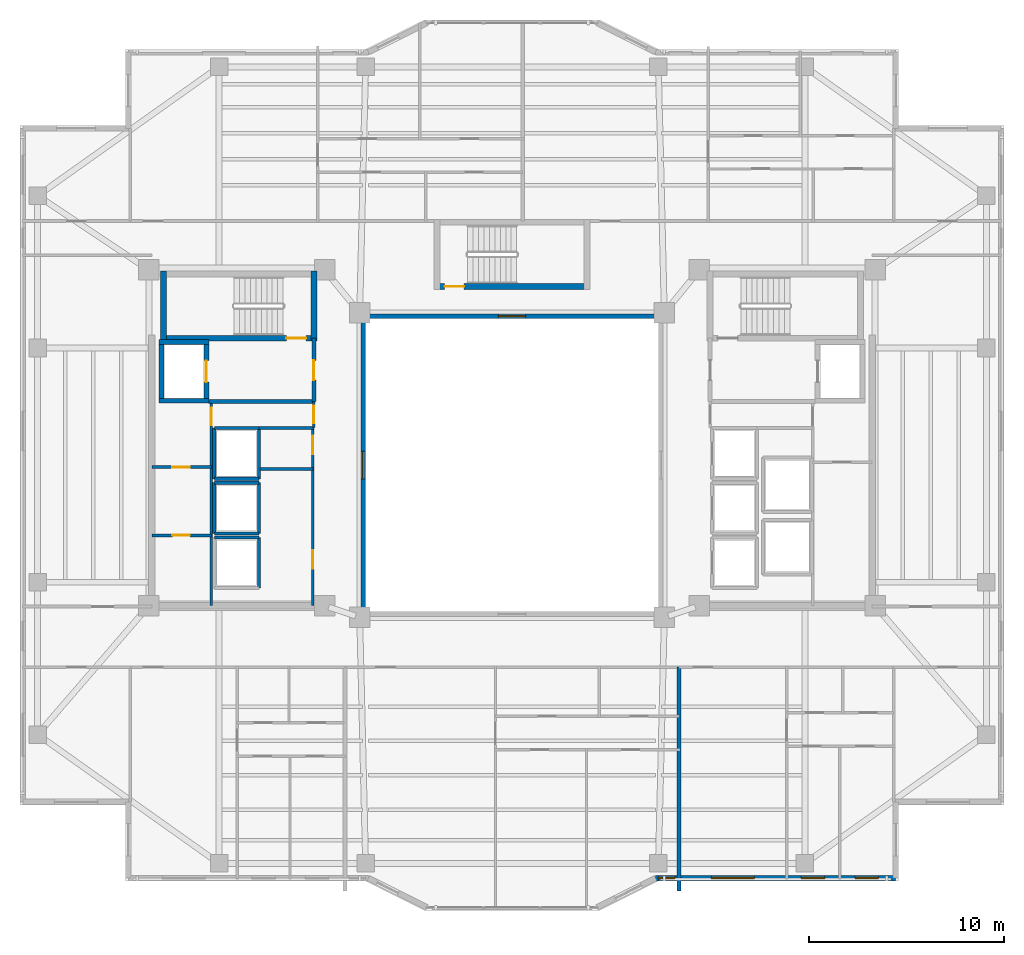
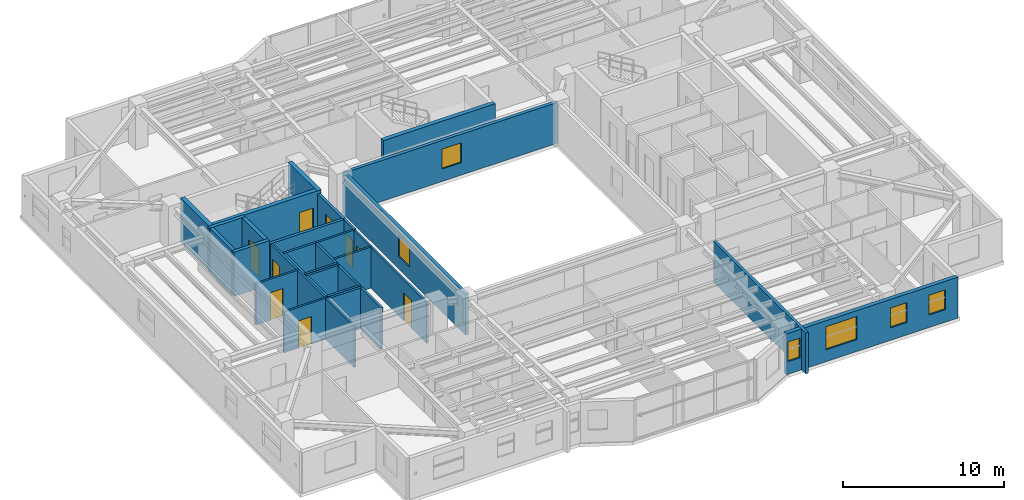
# One storey, part 7 of 15: 31 walls, 10 doors, 6 windows, 16 openings.
"""IFC4 building model written with IfcOpenShell, lengths in metres."""

from ifc_helpers import new_model, si_unit, direction, frame, frame_2d, origin, place, context, subcontext, project, spatial, rectangle, extrude, material, layer, layer_set, type_object, element, fill, save


model = new_model("IFC4")

# Units and contexts
model_context = context("Model", 3, precision=1e-05, world=origin(), true_north=direction((0.0, 1.0)))
body_context = subcontext(model_context, "Body", "Model", "MODEL_VIEW")
ifc_project = project(units=[si_unit("LENGTHUNIT", "METRE"), si_unit("AREAUNIT", "SQUARE_METRE"), si_unit("VOLUMEUNIT", "CUBIC_METRE"), si_unit("PLANEANGLEUNIT", "RADIAN"), si_unit("MASSUNIT", "GRAM", prefix="KILO")], contexts=[model_context])

# Site, building, storey
site_placement = place(None, origin())
site = spatial("IfcSite", under=ifc_project, at=site_placement, CompositionType="ELEMENT")
building_placement = place(site_placement, origin())
building = spatial("IfcBuilding", under=site, at=building_placement, Name="Tarnavaz Court Tower", CompositionType="ELEMENT")
storey_placement = place(building_placement, frame((0.0, 0.0, 162.75)))
storey = spatial("IfcBuildingStorey", under=building, at=storey_placement, Name="L44", CompositionType="ELEMENT", Elevation=162.75)

# Wall
ifc_material_1 = material(Name="Concrete C50/60", Category="concrete")
ifc_layer_1 = layer(ifc_material_1, 0.25)
ifc_layer_set_1 = layer_set([ifc_layer_1], Name="Concrete C50/60")
wall_type_1 = type_object("IfcWallType", Name="WL-CORE-250-C50", PredefinedType="SHEAR", material=ifc_layer_set_1)
wall_1_placement = place(storey_placement, frame((-17.949951171875, 3.175048828125, 0.0), z_axis=(0.0, 0.0, 1.0), x_axis=(0.0, 1.0, 0.0)))
element("IfcWall", 1, at=wall_1_placement, inside=storey, type_object=wall_type_1, Name="L44 Lift FL-W1 Shaft Wall 017", PredefinedType="SHEAR", context=body_context, shape_type="SweptSolid", body=[
    extrude(rectangle(XDim=3.25, YDim=0.25, at=frame_2d((1.625, 0.0))), origin(), (0.0, 0.0, 1.0), 3.35009765625),
])

# Wall, opening, door
wall_2_placement = place(storey_placement, frame((-15.64990234375, 3.175048828125, 0.0), z_axis=(0.0, 0.0, 1.0), x_axis=(0.0, 1.0, 0.0)))
wall_2 = element("IfcWall", 2, at=wall_2_placement, inside=storey, type_object=wall_type_1, Name="L44 Lift FL-W1 Shaft Wall 018", PredefinedType="SHEAR", context=body_context, shape_type="SweptSolid", body=[
    extrude(rectangle(XDim=3.25, YDim=0.25, at=frame_2d((1.625, 0.0))), origin(), (0.0, 0.0, 1.0), 3.35009765625),
])
opening_1_placement = place(wall_2_placement, frame((1.074951171875, 0.0, 0.0)))
opening_1 = element("IfcOpeningElement", 3, at=opening_1_placement, cuts=wall_2, Name="Opening LD1", PredefinedType="OPENING", context=body_context, shape_type="SweptSolid", body=[
    extrude(rectangle(XDim=1.10009765625, YDim=2.14990234375, at=frame_2d((0.550048828125, 1.074951171875))), frame((0.0, 0.135009765625, 0.0), z_axis=(0.0, -1.0, 0.0), x_axis=(1.0, 0.0, 0.0)), (0.0, 0.0, 1.0), 0.27001953125),
])
ifc_material_2 = material(Name="Stainless Steel", Category="steel")
door_type_1 = type_object("IfcDoorType", Name="DR-LD-1100", OperationType="NOTDEFINED", PredefinedType="DOOR", material=ifc_material_2)
door_1_placement = place(opening_1_placement, origin())
door_1 = element("IfcDoor", 4, at=door_1_placement, inside=storey, type_object=door_type_1, Name="L44 Lift Landing Door LD-FL-W1", OperationType="SLIDING_TO_LEFT", OverallHeight=2.14990234375, OverallWidth=1.10009765625, PredefinedType="DOOR", context=body_context, shape_type="SweptSolid", body=[
    extrude(rectangle(XDim=1.10009765625, YDim=2.14990234375, at=frame_2d((0.550048828125, 1.074951171875))), frame((0.0, 0.02490234375, 0.0), z_axis=(0.0, -1.0, 0.0), x_axis=(1.0, 0.0, 0.0)), (0.0, 0.0, 1.0), 0.050048828125),
])
fill(opening_1, door_1)

# Walls
for number, where, z_axis, x_axis, name in (
    (5, (-18.074951171875, 3.300048828125, 0.0), (0.0, 0.0, 1.0), (1.0, 0.0, 0.0), "L44 Lift FL-W1 Shaft Wall 019"),
    (6, (-18.074951171875, 6.300048828125, 0.0), (0.0, 0.0, 1.0), (1.0, 0.0, 0.0), "L44 Lift FL-W1 Shaft Wall 020"),
):
    element("IfcWall", number, at=place(storey_placement, frame(where, z_axis=z_axis, x_axis=x_axis)), inside=storey, type_object=wall_type_1, Name=name, PredefinedType="SHEAR", context=body_context, shape_type="SweptSolid", body=[
        extrude(rectangle(XDim=2.550048828125, YDim=0.25, at=frame_2d((1.27490234375, 0.0))), origin(), (0.0, 0.0, 1.0), 3.35009765625),
    ])

# Wall, opening, door
ifc_layer_2 = layer(ifc_material_1, 0.300048828125)
ifc_layer_set_2 = layer_set([ifc_layer_2], Name="Concrete C50/60")
wall_type_2 = type_object("IfcWallType", Name="WL-CORE-300-C50", PredefinedType="SHEAR", material=ifc_layer_set_2)
wall_3_placement = place(storey_placement, frame((-18.0, 6.5, 0.0), z_axis=(0.0, 0.0, 1.0), x_axis=(1.0, 0.0, 0.0)))
wall_3 = element("IfcWall", 7, at=wall_3_placement, inside=storey, type_object=wall_type_2, Name="L44 West Stair Core Wall 002", PredefinedType="SHEAR", context=body_context, shape_type="SweptSolid", body=[
    extrude(rectangle(XDim=8.0, YDim=0.300048828125, at=frame_2d((4.0, 0.0))), origin(), (0.0, 0.0, 1.0), 3.35009765625),
])
opening_2_placement = place(wall_3_placement, frame((6.449951171875, 0.0, 0.0)))
opening_2 = element("IfcOpeningElement", 8, at=opening_2_placement, cuts=wall_3, Name="Opening D01", PredefinedType="OPENING", context=body_context, shape_type="SweptSolid", body=[
    extrude(rectangle(XDim=1.0, YDim=2.14990234375, at=frame_2d((0.5, 1.074951171875))), frame((0.0, 0.159912109375, 0.0), z_axis=(0.0, -1.0, 0.0), x_axis=(1.0, 0.0, 0.0)), (0.0, 0.0, 1.0), 0.320068359375),
])
ifc_material_3 = material(Name="Fire-Rated Hardwood Timber Core", Category="wood")
door_type_2 = type_object("IfcDoorType", Name="DR-FD90-1000", OperationType="NOTDEFINED", PredefinedType="DOOR", material=ifc_material_3)
door_2_placement = place(opening_2_placement, origin())
door_2 = element("IfcDoor", 9, at=door_2_placement, inside=storey, type_object=door_type_2, Name="L44 Stair ST-W1 Exit Door", OperationType="SINGLE_SWING_LEFT", OverallHeight=2.14990234375, OverallWidth=1.0, PredefinedType="DOOR", context=body_context, shape_type="SweptSolid", body=[
    extrude(rectangle(XDim=1.0, YDim=2.14990234375, at=frame_2d((0.5, 1.074951171875))), frame((0.0, 0.02490234375, 0.0), z_axis=(0.0, -1.0, 0.0), x_axis=(1.0, 0.0, 0.0)), (0.0, 0.0, 1.0), 0.050048828125),
])
fill(opening_2, door_2)

# Walls
for number, where, z_axis, x_axis, name in (
    (10, (-17.85009765625, 6.35009765625, 0.0), (0.0, 0.0, 1.0), (0.0, 1.0, 0.0), "L44 West Stair Core Wall 003"),
    (11, (-10.14990234375, 6.35009765625, 0.0), (0.0, 0.0, 1.0), (0.0, 1.0, 0.0), "L44 West Stair Core Wall 004"),
):
    element("IfcWall", number, at=place(storey_placement, frame(where, z_axis=z_axis, x_axis=x_axis)), inside=storey, type_object=wall_type_2, Name=name, PredefinedType="SHEAR", context=body_context, shape_type="SweptSolid", body=[
        extrude(rectangle(XDim=3.58984375, YDim=0.300048828125, at=frame_2d((1.794921875, 0.0))), origin(), (0.0, 0.0, 1.0), 3.35009765625),
    ])

# Wall, opening, door
wall_4_placement = place(storey_placement, frame((-4.0, 9.14990234375, 0.0), z_axis=(0.0, 0.0, 1.0), x_axis=(1.0, 0.0, 0.0)))
wall_4 = element("IfcWall", 12, at=wall_4_placement, inside=storey, type_object=wall_type_2, Name="L44 North Stair Core Wall 010", PredefinedType="SHEAR", context=body_context, shape_type="SweptSolid", body=[
    extrude(rectangle(XDim=8.0, YDim=0.300048828125, at=frame_2d((4.0, 0.0))), origin(), (0.0, 0.0, 1.0), 3.35009765625),
])
opening_3_placement = place(wall_4_placement, frame((0.550048828125, 0.0, 0.0)))
opening_3 = element("IfcOpeningElement", 13, at=opening_3_placement, cuts=wall_4, Name="Opening D01", PredefinedType="OPENING", context=body_context, shape_type="SweptSolid", body=[
    extrude(rectangle(XDim=1.0, YDim=2.14990234375, at=frame_2d((0.5, 1.074951171875))), frame((0.0, 0.159912109375, 0.0), z_axis=(0.0, -1.0, 0.0), x_axis=(1.0, 0.0, 0.0)), (0.0, 0.0, 1.0), 0.320068359375),
])
door_3_placement = place(opening_3_placement, origin())
door_3 = element("IfcDoor", 14, at=door_3_placement, inside=storey, type_object=door_type_2, Name="L44 Stair ST-N1 Exit Door", OperationType="SINGLE_SWING_LEFT", OverallHeight=2.14990234375, OverallWidth=1.0, PredefinedType="DOOR", context=body_context, shape_type="SweptSolid", body=[
    extrude(rectangle(XDim=1.0, YDim=2.14990234375, at=frame_2d((0.5, 1.074951171875))), frame((0.0, 0.02490234375, 0.0), z_axis=(0.0, -1.0, 0.0), x_axis=(1.0, 0.0, 0.0)), (0.0, 0.0, 1.0), 0.050048828125),
])
fill(opening_3, door_3)

# Wall, openings, windows
ifc_material_4 = material(Name="Precast Concrete C40/50", Category="concrete")
ifc_layer_3 = layer(ifc_material_4, 0.280029296875)
ifc_layer_set_3 = layer_set([ifc_layer_3], Name="Precast Concrete C40/50")
wall_type_3 = type_object("IfcWallType", Name="WL-EXT-280", PredefinedType="SOLIDWALL", material=ifc_layer_set_3)
wall_5_placement = place(storey_placement, frame((19.64990234375, -21.14990234375, 0.0), z_axis=(0.0, 0.0, 1.0), x_axis=(-1.0, 0.0, 0.0)))
wall_5 = element("IfcWall", 15, at=wall_5_placement, inside=storey, type_object=wall_type_3, Name="L44 Exterior Terracotta Facade Wall 15", PredefinedType="SOLIDWALL", context=body_context, shape_type="SweptSolid", body=[
    extrude(rectangle(XDim=12.2998046875, YDim=0.280029296875, at=frame_2d((6.14990234375, 0.0))), origin(), (0.0, 0.0, 1.0), 3.10009765625),
])
opening_4_placement = place(wall_5_placement, frame((0.881103515625, 0.0, 0.949951171875)))
opening_4 = element("IfcOpeningElement", 16, at=opening_4_placement, cuts=wall_5, Name="Opening W05", PredefinedType="OPENING", context=body_context, shape_type="SweptSolid", body=[
    extrude(rectangle(XDim=1.199951171875, YDim=1.5, at=frame_2d((0.60009765625, 0.75))), frame((0.0, 0.14990234375, 0.0), z_axis=(0.0, -1.0, 0.0), x_axis=(1.0, 0.0, 0.0)), (0.0, 0.0, 1.0), 0.300048828125),
])
opening_5_placement = place(wall_5_placement, frame((3.64208984375, 0.0, 0.949951171875)))
opening_5 = element("IfcOpeningElement", 17, at=opening_5_placement, cuts=wall_5, Name="Opening W05", PredefinedType="OPENING", context=body_context, shape_type="SweptSolid", body=[
    extrude(rectangle(XDim=1.199951171875, YDim=1.5, at=frame_2d((0.60009765625, 0.75))), frame((0.0, 0.14990234375, 0.0), z_axis=(0.0, -1.0, 0.0), x_axis=(1.0, 0.0, 0.0)), (0.0, 0.0, 1.0), 0.300048828125),
])
opening_6_placement = place(wall_5_placement, frame((7.23388671875, 0.0, 0.89990234375)))
opening_6 = element("IfcOpeningElement", 18, at=opening_6_placement, cuts=wall_5, Name="Opening W07", PredefinedType="OPENING", context=body_context, shape_type="SweptSolid", body=[
    extrude(rectangle(XDim=2.199951171875, YDim=1.75, at=frame_2d((1.10009765625, 0.875))), frame((0.0, 0.14990234375, 0.0), z_axis=(0.0, -1.0, 0.0), x_axis=(1.0, 0.0, 0.0)), (0.0, 0.0, 1.0), 0.300048828125),
])
opening_7_placement = place(wall_5_placement, frame((11.302978515625, 0.0, 0.949951171875)))
opening_7 = element("IfcOpeningElement", 19, at=opening_7_placement, cuts=wall_5, Name="Opening W15", PredefinedType="OPENING", context=body_context, shape_type="SweptSolid", body=[
    extrude(rectangle(XDim=0.85009765625, YDim=1.5, at=frame_2d((0.425048828125, 0.75))), frame((0.0, 0.14990234375, 0.0), z_axis=(0.0, -1.0, 0.0), x_axis=(1.0, 0.0, 0.0)), (0.0, 0.0, 1.0), 0.300048828125),
])
ifc_material_5 = material(Name="Double-Glazed Solar Low-E Glass", Category="glass")
window_type_1 = type_object("IfcWindowType", Name="WN-APT-1200", PartitioningType="SINGLE_PANEL", PredefinedType="WINDOW", material=ifc_material_5)
window_1_placement = place(opening_4_placement, origin())
window_1 = element("IfcWindow", 20, at=window_1_placement, inside=storey, type_object=window_type_1, Name="L44 Flat 04 Bedroom 2 Window", OverallHeight=1.5, OverallWidth=1.199951171875, PartitioningType="SINGLE_PANEL", PredefinedType="WINDOW", context=body_context, shape_type="SweptSolid", body=[
    extrude(rectangle(XDim=1.199951171875, YDim=1.5, at=frame_2d((0.60009765625, 0.75))), frame((0.0, 0.030029296875, 0.0), z_axis=(0.0, -1.0, 0.0), x_axis=(1.0, 0.0, 0.0)), (0.0, 0.0, 1.0), 0.06005859375),
])
fill(opening_4, window_1)
window_2_placement = place(opening_5_placement, origin())
window_2 = element("IfcWindow", 21, at=window_2_placement, inside=storey, type_object=window_type_1, Name="L44 Flat 04 Principal Bedroom Window", OverallHeight=1.5, OverallWidth=1.199951171875, PartitioningType="SINGLE_PANEL", PredefinedType="WINDOW", context=body_context, shape_type="SweptSolid", body=[
    extrude(rectangle(XDim=1.199951171875, YDim=1.5, at=frame_2d((0.60009765625, 0.75))), frame((0.0, 0.030029296875, 0.0), z_axis=(0.0, -1.0, 0.0), x_axis=(1.0, 0.0, 0.0)), (0.0, 0.0, 1.0), 0.06005859375),
])
fill(opening_5, window_2)
window_type_2 = type_object("IfcWindowType", Name="WN-APT-2200", PartitioningType="TRIPLE_PANEL_VERTICAL", PredefinedType="WINDOW", material=ifc_material_5)
window_3_placement = place(opening_6_placement, origin())
window_3 = element("IfcWindow", 22, at=window_3_placement, inside=storey, type_object=window_type_2, Name="L44 Flat 04 Living and Dining Room Window", OverallHeight=1.75, OverallWidth=2.199951171875, PartitioningType="SINGLE_PANEL", PredefinedType="WINDOW", context=body_context, shape_type="SweptSolid", body=[
    extrude(rectangle(XDim=2.199951171875, YDim=1.75, at=frame_2d((1.10009765625, 0.875))), frame((0.0, 0.030029296875, 0.0), z_axis=(0.0, -1.0, 0.0), x_axis=(1.0, 0.0, 0.0)), (0.0, 0.0, 1.0), 0.06005859375),
])
fill(opening_6, window_3)
window_type_3 = type_object("IfcWindowType", Name="WN-APT-850", PartitioningType="SINGLE_PANEL", PredefinedType="WINDOW", material=ifc_material_5)
window_4_placement = place(opening_7_placement, origin())
window_4 = element("IfcWindow", 23, at=window_4_placement, inside=storey, type_object=window_type_3, Name="L44 Flat 05 Bedroom 2 Window", OverallHeight=1.5, OverallWidth=0.85009765625, PartitioningType="SINGLE_PANEL", PredefinedType="WINDOW", context=body_context, shape_type="SweptSolid", body=[
    extrude(rectangle(XDim=0.85009765625, YDim=1.5, at=frame_2d((0.425048828125, 0.75))), frame((0.0, 0.030029296875, 0.0), z_axis=(0.0, -1.0, 0.0), x_axis=(1.0, 0.0, 0.0)), (0.0, 0.0, 1.0), 0.06005859375),
])
fill(opening_7, window_4)

# Wall
ifc_material_6 = material(Name="Autoclaved Aerated Concrete Blockwork", Category="masonry")
ifc_layer_4 = layer(ifc_material_6, 0.199951171875)
ifc_layer_set_4 = layer_set([ifc_layer_4], Name="Autoclaved Aerated Concrete Blockwork")
wall_type_4 = type_object("IfcWallType", Name="WL-FIRE-200", PredefinedType="SOLIDWALL", material=ifc_layer_set_4)
wall_6_placement = place(storey_placement, frame((-15.550048828125, 3.25, 0.0), z_axis=(0.0, 0.0, 1.0), x_axis=(1.0, 0.0, 0.0)))
element("IfcWall", 24, at=wall_6_placement, inside=storey, type_object=wall_type_4, Name="L44 West Firefighting Lobby Wall 013", PredefinedType="SOLIDWALL", context=body_context, shape_type="SweptSolid", body=[
    extrude(rectangle(XDim=5.400146484375, YDim=0.199951171875, at=frame_2d((2.7001953125, 0.0))), origin(), (0.0, 0.0, 1.0), 3.10009765625),
])

# Wall, opening, door
wall_7_placement = place(storey_placement, frame((-10.14990234375, 3.25, 0.0), z_axis=(0.0, 0.0, 1.0), x_axis=(0.0, 1.0, 0.0)))
wall_7 = element("IfcWall", 25, at=wall_7_placement, inside=storey, type_object=wall_type_4, Name="L44 West Firefighting Lobby Wall 014", PredefinedType="SOLIDWALL", context=body_context, shape_type="SweptSolid", body=[
    extrude(rectangle(XDim=3.25, YDim=0.199951171875, at=frame_2d((1.625, 0.0))), origin(), (0.0, 0.0, 1.0), 3.10009765625),
])
opening_8_placement = place(wall_7_placement, frame((1.10009765625, 0.0, 0.0)))
opening_8 = element("IfcOpeningElement", 26, at=opening_8_placement, cuts=wall_7, Name="Opening D05", PredefinedType="OPENING", context=body_context, shape_type="SweptSolid", body=[
    extrude(rectangle(XDim=1.02001953125, YDim=2.14990234375, at=frame_2d((0.510009765625, 1.074951171875))), frame((0.0, 0.10986328125, 0.0), z_axis=(0.0, -1.0, 0.0), x_axis=(1.0, 0.0, 0.0)), (0.0, 0.0, 1.0), 0.219970703125),
])
door_type_3 = type_object("IfcDoorType", Name="DR-FD60-1000", OperationType="NOTDEFINED", PredefinedType="DOOR", material=ifc_material_3)
door_4_placement = place(opening_8_placement, origin())
door_4 = element("IfcDoor", 27, at=door_4_placement, inside=storey, type_object=door_type_3, Name="L44 West Firefighting Lobby Door", OperationType="SINGLE_SWING_RIGHT", OverallHeight=2.14990234375, OverallWidth=1.02001953125, PredefinedType="DOOR", context=body_context, shape_type="SweptSolid", body=[
    extrude(rectangle(XDim=1.02001953125, YDim=2.14990234375, at=frame_2d((0.510009765625, 1.074951171875))), frame((0.0, 0.02490234375, 0.0), z_axis=(0.0, -1.0, 0.0), x_axis=(1.0, 0.0, 0.0)), (0.0, 0.0, 1.0), 0.050048828125),
])
fill(opening_8, door_4)

# Walls
wall_8_placement = place(storey_placement, frame((8.550048828125, -21.803955078125, 0.0), z_axis=(0.0, 0.0, 1.0), x_axis=(0.0, 1.0, 0.0)))
element("IfcWall", 28, at=wall_8_placement, inside=storey, type_object=wall_type_4, Name="L44 Party Wall 102", PredefinedType="SOLIDWALL", context=body_context, shape_type="SweptSolid", body=[
    extrude(rectangle(XDim=11.453857421875, YDim=0.199951171875, at=frame_2d((5.72705078125, 0.0))), origin(), (0.0, 0.0, 1.0), 3.10009765625),
])
ifc_material_7 = material(Name="Gypsum Plasterboard Acoustic Partition", Category="masonry")
ifc_layer_5 = layer(ifc_material_7, 0.139892578125)
ifc_layer_set_5 = layer_set([ifc_layer_5], Name="Gypsum Plasterboard Acoustic Partition")
wall_type_5 = type_object("IfcWallType", Name="WL-PART-150", PredefinedType="PARTITIONING", material=ifc_layer_set_5)
wall_9_placement = place(storey_placement, frame((-12.949951171875, 1.89990234375, 0.0), z_axis=(0.0, 0.0, 1.0), x_axis=(1.0, 0.0, 0.0)))
element("IfcWall", 29, at=wall_9_placement, inside=storey, type_object=wall_type_5, Name="L44 Interior Partition 061", PredefinedType="PARTITIONING", context=body_context, shape_type="SweptSolid", body=[
    extrude(rectangle(XDim=2.800048828125, YDim=0.139892578125, at=frame_2d((1.39990234375, 0.0))), origin(), (0.0, 0.0, 1.0), 3.10009765625),
])

# Wall, opening, door
wall_10_placement = place(storey_placement, frame((-10.14990234375, 1.919921875, 0.0), z_axis=(0.0, 0.0, 1.0), x_axis=(0.0, 1.0, 0.0)))
wall_10 = element("IfcWall", 30, at=wall_10_placement, inside=storey, type_object=wall_type_5, Name="L44 Interior Partition 062", PredefinedType="PARTITIONING", context=body_context, shape_type="SweptSolid", body=[
    extrude(rectangle(XDim=1.330078125, YDim=0.139892578125, at=frame_2d((0.6650390625, 0.0))), origin(), (0.0, 0.0, 1.0), 3.10009765625),
])
opening_9_placement = place(wall_10_placement, frame((0.219970703125, 0.0, 0.0)))
opening_9 = element("IfcOpeningElement", 31, at=opening_9_placement, cuts=wall_10, Name="Opening D09", PredefinedType="OPENING", context=body_context, shape_type="SweptSolid", body=[
    extrude(rectangle(XDim=0.89990234375, YDim=2.080078125, at=frame_2d((0.449951171875, 1.0400390625))), frame((0.0, 0.079833984375, 0.0), z_axis=(0.0, -1.0, 0.0), x_axis=(1.0, 0.0, 0.0)), (0.0, 0.0, 1.0), 0.159912109375),
])
door_type_4 = type_object("IfcDoorType", Name="DR-FD30-900", OperationType="NOTDEFINED", PredefinedType="DOOR", material=ifc_material_3)
door_5_placement = place(opening_9_placement, origin())
door_5 = element("IfcDoor", 32, at=door_5_placement, inside=storey, type_object=door_type_4, Name="L44 West Core Service Lobby Door", OperationType="SINGLE_SWING_LEFT", OverallHeight=2.080078125, OverallWidth=0.89990234375, PredefinedType="DOOR", context=body_context, shape_type="SweptSolid", body=[
    extrude(rectangle(XDim=0.89990234375, YDim=2.080078125, at=frame_2d((0.449951171875, 1.0400390625))), frame((0.0, 0.02490234375, 0.0), z_axis=(0.0, -1.0, 0.0), x_axis=(1.0, 0.0, 0.0)), (0.0, 0.0, 1.0), 0.050048828125),
])
fill(opening_9, door_5)

wall_11_placement = place(storey_placement, frame((-15.39990234375, -7.199951171875, 0.0), z_axis=(0.0, 0.0, 1.0), x_axis=(0.0, 1.0, 0.0)))
wall_11 = element("IfcWall", 33, at=wall_11_placement, inside=storey, type_object=wall_type_5, Name="L44 Interior Partition 063", PredefinedType="PARTITIONING", context=body_context, shape_type="SweptSolid", body=[
    extrude(rectangle(XDim=10.449951171875, YDim=0.139892578125, at=frame_2d((5.22509765625, 0.0))), origin(), (0.0, 0.0, 1.0), 3.10009765625),
])
opening_10_placement = place(wall_11_placement, frame((9.25, 0.0, 0.0)))
opening_10 = element("IfcOpeningElement", 34, at=opening_10_placement, cuts=wall_11, Name="Opening D09", PredefinedType="OPENING", context=body_context, shape_type="SweptSolid", body=[
    extrude(rectangle(XDim=0.89990234375, YDim=2.080078125, at=frame_2d((0.449951171875, 1.0400390625))), frame((0.0, 0.079833984375, 0.0), z_axis=(0.0, -1.0, 0.0), x_axis=(1.0, 0.0, 0.0)), (0.0, 0.0, 1.0), 0.159912109375),
])
door_6_placement = place(opening_10_placement, origin())
door_6 = element("IfcDoor", 35, at=door_6_placement, inside=storey, type_object=door_type_4, Name="L44 West ICT Comms Door", OperationType="SINGLE_SWING_RIGHT", OverallHeight=2.080078125, OverallWidth=0.89990234375, PredefinedType="DOOR", context=body_context, shape_type="SweptSolid", body=[
    extrude(rectangle(XDim=0.89990234375, YDim=2.080078125, at=frame_2d((0.449951171875, 1.0400390625))), frame((0.0, 0.02490234375, 0.0), z_axis=(0.0, -1.0, 0.0), x_axis=(1.0, 0.0, 0.0)), (0.0, 0.0, 1.0), 0.050048828125),
])
fill(opening_10, door_6)

wall_12_placement = place(storey_placement, frame((-18.449951171875, -3.60009765625, 0.0), z_axis=(0.0, 0.0, 1.0), x_axis=(1.0, 0.0, 0.0)))
wall_12 = element("IfcWall", 36, at=wall_12_placement, inside=storey, type_object=wall_type_5, Name="L44 Interior Partition 064", PredefinedType="PARTITIONING", context=body_context, shape_type="SweptSolid", body=[
    extrude(rectangle(XDim=3.050048828125, YDim=0.139892578125, at=frame_2d((1.52490234375, 0.0))), origin(), (0.0, 0.0, 1.0), 3.10009765625),
])
opening_11_placement = place(wall_12_placement, frame((1.050048828125, 0.0, 0.0)))
opening_11 = element("IfcOpeningElement", 37, at=opening_11_placement, cuts=wall_12, Name="Opening D09", PredefinedType="OPENING", context=body_context, shape_type="SweptSolid", body=[
    extrude(rectangle(XDim=0.89990234375, YDim=2.080078125, at=frame_2d((0.449951171875, 1.0400390625))), frame((0.0, 0.079833984375, 0.0), z_axis=(0.0, -1.0, 0.0), x_axis=(1.0, 0.0, 0.0)), (0.0, 0.0, 1.0), 0.159912109375),
])
door_7_placement = place(opening_11_placement, origin())
door_7 = element("IfcDoor", 38, at=door_7_placement, inside=storey, type_object=door_type_4, Name="L44 West Electrical Closet Door", OperationType="SINGLE_SWING_RIGHT", OverallHeight=2.080078125, OverallWidth=0.89990234375, PredefinedType="DOOR", context=body_context, shape_type="SweptSolid", body=[
    extrude(rectangle(XDim=0.89990234375, YDim=2.080078125, at=frame_2d((0.449951171875, 1.0400390625))), frame((0.0, 0.02490234375, 0.0), z_axis=(0.0, -1.0, 0.0), x_axis=(1.0, 0.0, 0.0)), (0.0, 0.0, 1.0), 0.050048828125),
])
fill(opening_11, door_7)

wall_13_placement = place(storey_placement, frame((-18.449951171875, -0.10009765625, 0.0), z_axis=(0.0, 0.0, 1.0), x_axis=(1.0, 0.0, 0.0)))
wall_13 = element("IfcWall", 39, at=wall_13_placement, inside=storey, type_object=wall_type_5, Name="L44 Interior Partition 065", PredefinedType="PARTITIONING", context=body_context, shape_type="SweptSolid", body=[
    extrude(rectangle(XDim=3.050048828125, YDim=0.139892578125, at=frame_2d((1.52490234375, 0.0))), origin(), (0.0, 0.0, 1.0), 3.10009765625),
])
opening_12_placement = place(wall_13_placement, frame((1.050048828125, 0.0, 0.0)))
opening_12 = element("IfcOpeningElement", 40, at=opening_12_placement, cuts=wall_13, Name="Opening D09", PredefinedType="OPENING", context=body_context, shape_type="SweptSolid", body=[
    extrude(rectangle(XDim=0.89990234375, YDim=2.080078125, at=frame_2d((0.449951171875, 1.0400390625))), frame((0.0, 0.079833984375, 0.0), z_axis=(0.0, -1.0, 0.0), x_axis=(1.0, 0.0, 0.0)), (0.0, 0.0, 1.0), 0.159912109375),
])
door_8_placement = place(opening_12_placement, origin())
door_8 = element("IfcDoor", 41, at=door_8_placement, inside=storey, type_object=door_type_4, Name="L44 West Chilled-Water Riser Door", OperationType="SINGLE_SWING_LEFT", OverallHeight=2.080078125, OverallWidth=0.89990234375, PredefinedType="DOOR", context=body_context, shape_type="SweptSolid", body=[
    extrude(rectangle(XDim=0.89990234375, YDim=2.080078125, at=frame_2d((0.449951171875, 1.0400390625))), frame((0.0, 0.02490234375, 0.0), z_axis=(0.0, -1.0, 0.0), x_axis=(1.0, 0.0, 0.0)), (0.0, 0.0, 1.0), 0.050048828125),
])
fill(opening_12, door_8)

# Wall, openings, doors
wall_14_placement = place(storey_placement, frame((-10.199951171875, -7.199951171875, 0.0), z_axis=(0.0, 0.0, 1.0), x_axis=(0.0, 1.0, 0.0)))
wall_14 = element("IfcWall", 42, at=wall_14_placement, inside=storey, type_object=wall_type_5, Name="L44 West Reclaimed Core Wall 066", PredefinedType="PARTITIONING", context=body_context, shape_type="SweptSolid", body=[
    extrude(rectangle(XDim=9.119873046875, YDim=0.139892578125, at=frame_2d((4.56005859375, 0.0))), origin(), (0.0, 0.0, 1.0), 3.10009765625),
])
opening_13_placement = place(wall_14_placement, frame((1.89990234375, 0.0, 0.0)))
opening_13 = element("IfcOpeningElement", 43, at=opening_13_placement, cuts=wall_14, Name="Opening D08", PredefinedType="OPENING", context=body_context, shape_type="SweptSolid", body=[
    extrude(rectangle(XDim=0.949951171875, YDim=2.1201171875, at=frame_2d((0.47509765625, 1.06005859375))), frame((0.0, 0.079833984375, 0.0), z_axis=(0.0, -1.0, 0.0), x_axis=(1.0, 0.0, 0.0)), (0.0, 0.0, 1.0), 0.159912109375),
])
opening_14_placement = place(wall_14_placement, frame((7.75, 0.0, 0.0)))
opening_14 = element("IfcOpeningElement", 44, at=opening_14_placement, cuts=wall_14, Name="Opening D08", PredefinedType="OPENING", context=body_context, shape_type="SweptSolid", body=[
    extrude(rectangle(XDim=0.949951171875, YDim=2.1201171875, at=frame_2d((0.47509765625, 1.06005859375))), frame((0.0, 0.079833984375, 0.0), z_axis=(0.0, -1.0, 0.0), x_axis=(1.0, 0.0, 0.0)), (0.0, 0.0, 1.0), 0.159912109375),
])
door_type_5 = type_object("IfcDoorType", Name="DR-FD30-950", OperationType="NOTDEFINED", PredefinedType="DOOR", material=ifc_material_3)
door_9_placement = place(opening_13_placement, origin())
door_9 = element("IfcDoor", 45, at=door_9_placement, inside=storey, type_object=door_type_5, Name="L44 West Study Room Door", OperationType="SINGLE_SWING_LEFT", OverallHeight=2.1201171875, OverallWidth=0.949951171875, PredefinedType="DOOR", context=body_context, shape_type="SweptSolid", body=[
    extrude(rectangle(XDim=0.949951171875, YDim=2.1201171875, at=frame_2d((0.47509765625, 1.06005859375))), frame((0.0, 0.02490234375, 0.0), z_axis=(0.0, -1.0, 0.0), x_axis=(1.0, 0.0, 0.0)), (0.0, 0.0, 1.0), 0.050048828125),
])
fill(opening_13, door_9)
door_10_placement = place(opening_14_placement, origin())
door_10 = element("IfcDoor", 46, at=door_10_placement, inside=storey, type_object=door_type_5, Name="L44 West Laundry Room Door", OperationType="SINGLE_SWING_RIGHT", OverallHeight=2.1201171875, OverallWidth=0.949951171875, PredefinedType="DOOR", context=body_context, shape_type="SweptSolid", body=[
    extrude(rectangle(XDim=0.949951171875, YDim=2.1201171875, at=frame_2d((0.47509765625, 1.06005859375))), frame((0.0, 0.02490234375, 0.0), z_axis=(0.0, -1.0, 0.0), x_axis=(1.0, 0.0, 0.0)), (0.0, 0.0, 1.0), 0.050048828125),
])
fill(opening_14, door_10)

# Walls
wall_15_placement = place(storey_placement, frame((-12.89990234375, -0.199951171875, 0.0), z_axis=(0.0, 0.0, 1.0), x_axis=(1.0, 0.0, 0.0)))
element("IfcWall", 47, at=wall_15_placement, inside=storey, type_object=wall_type_5, Name="L44 Interior Partition 067", PredefinedType="PARTITIONING", context=body_context, shape_type="SweptSolid", body=[
    extrude(rectangle(XDim=2.699951171875, YDim=0.139892578125, at=frame_2d((1.35009765625, 0.0))), origin(), (0.0, 0.0, 1.0), 3.10009765625),
])
ifc_layer_6 = layer(ifc_material_6, 0.159912109375)
ifc_layer_set_6 = layer_set([ifc_layer_6], Name="Autoclaved Aerated Concrete Blockwork")
wall_type_6 = type_object("IfcWallType", Name="WL-SHAFT-150", PredefinedType="SOLIDWALL", material=ifc_layer_set_6)
wall_16_placement = place(storey_placement, frame((-12.949951171875, -6.300048828125, 0.0), z_axis=(0.0, 0.0, 1.0), x_axis=(0.0, 1.0, 0.0)))
element("IfcWall", 48, at=wall_16_placement, inside=storey, type_object=wall_type_6, Name="L44 Lift PL-H1 Shaft Wall 022", PredefinedType="SOLIDWALL", context=body_context, shape_type="SweptSolid", body=[
    extrude(rectangle(XDim=2.60009765625, YDim=0.159912109375, at=frame_2d((1.300048828125, 0.0))), origin(), (0.0, 0.0, 1.0), 3.10009765625),
])
wall_17_placement = place(storey_placement, frame((-15.25, -3.699951171875, 0.0), z_axis=(0.0, 0.0, 1.0), x_axis=(1.0, 0.0, 0.0)))
element("IfcWall", 49, at=wall_17_placement, inside=storey, type_object=wall_type_6, Name="L44 Lift PL-H1 Shaft Wall 024", PredefinedType="SOLIDWALL", context=body_context, shape_type="SweptSolid", body=[
    extrude(rectangle(XDim=2.300048828125, YDim=0.159912109375, at=frame_2d((1.14990234375, 0.0))), origin(), (0.0, 0.0, 1.0), 3.10009765625),
])
for number, where, z_axis, x_axis, name in (
    (50, (-15.25, -3.5, 0.0), (0.0, 0.0, 1.0), (0.0, 1.0, 0.0), "L44 Lift PL-H2 Shaft Wall 025"),
    (51, (-12.949951171875, -3.5, 0.0), (0.0, 0.0, 1.0), (0.0, 1.0, 0.0), "L44 Lift PL-H2 Shaft Wall 026"),
):
    element("IfcWall", number, at=place(storey_placement, frame(where, z_axis=z_axis, x_axis=x_axis)), inside=storey, type_object=wall_type_6, Name=name, PredefinedType="SOLIDWALL", context=body_context, shape_type="SweptSolid", body=[
        extrude(rectangle(XDim=2.60009765625, YDim=0.159912109375, at=frame_2d((1.300048828125, 0.0))), origin(), (0.0, 0.0, 1.0), 3.10009765625),
    ])
for number, where, z_axis, x_axis, name in (
    (52, (-15.25, -3.5, 0.0), (0.0, 0.0, 1.0), (1.0, 0.0, 0.0), "L44 Lift PL-H2 Shaft Wall 027"),
    (53, (-15.25, -0.89990234375, 0.0), (0.0, 0.0, 1.0), (1.0, 0.0, 0.0), "L44 Lift PL-H2 Shaft Wall 028"),
):
    element("IfcWall", number, at=place(storey_placement, frame(where, z_axis=z_axis, x_axis=x_axis)), inside=storey, type_object=wall_type_6, Name=name, PredefinedType="SOLIDWALL", context=body_context, shape_type="SweptSolid", body=[
        extrude(rectangle(XDim=2.300048828125, YDim=0.159912109375, at=frame_2d((1.14990234375, 0.0))), origin(), (0.0, 0.0, 1.0), 3.10009765625),
    ])
for number, where, z_axis, x_axis, name in (
    (54, (-15.25, -0.699951171875, 0.0), (0.0, 0.0, 1.0), (0.0, 1.0, 0.0), "L44 Lift PL-H3 Shaft Wall 029"),
    (55, (-12.949951171875, -0.699951171875, 0.0), (0.0, 0.0, 1.0), (0.0, 1.0, 0.0), "L44 Lift PL-H3 Shaft Wall 030"),
):
    element("IfcWall", number, at=place(storey_placement, frame(where, z_axis=z_axis, x_axis=x_axis)), inside=storey, type_object=wall_type_6, Name=name, PredefinedType="SOLIDWALL", context=body_context, shape_type="SweptSolid", body=[
        extrude(rectangle(XDim=2.599853515625, YDim=0.159912109375, at=frame_2d((1.2998046875, 0.0))), origin(), (0.0, 0.0, 1.0), 3.10009765625),
    ])
for number, where, z_axis, x_axis, name in (
    (56, (-15.25, -0.699951171875, 0.0), (0.0, 0.0, 1.0), (1.0, 0.0, 0.0), "L44 Lift PL-H3 Shaft Wall 031"),
    (57, (-15.25, 1.89990234375, 0.0), (0.0, 0.0, 1.0), (1.0, 0.0, 0.0), "L44 Lift PL-H3 Shaft Wall 032"),
):
    element("IfcWall", number, at=place(storey_placement, frame(where, z_axis=z_axis, x_axis=x_axis)), inside=storey, type_object=wall_type_6, Name=name, PredefinedType="SOLIDWALL", context=body_context, shape_type="SweptSolid", body=[
        extrude(rectangle(XDim=2.300048828125, YDim=0.159912109375, at=frame_2d((1.14990234375, 0.0))), origin(), (0.0, 0.0, 1.0), 3.10009765625),
    ])

# Wall, opening, window
ifc_layer_7 = layer(ifc_material_4, 0.239990234375)
ifc_layer_set_7 = layer_set([ifc_layer_7], Name="Precast Concrete C40/50")
wall_type_7 = type_object("IfcWallType", Name="WL-WELL-240", PredefinedType="SOLIDWALL", material=ifc_layer_set_7)
wall_18_placement = place(storey_placement, frame((7.6201171875, 7.6201171875, 0.0), z_axis=(0.0, 0.0, 1.0), x_axis=(-1.0, 0.0, 0.0)))
wall_18 = element("IfcWall", 58, at=wall_18_placement, inside=storey, type_object=wall_type_7, Name="L44 Badgir Light-Well Exterior Wall N", PredefinedType="SOLIDWALL", context=body_context, shape_type="SweptSolid", body=[
    extrude(rectangle(XDim=15.240234375, YDim=0.239990234375, at=frame_2d((7.6201171875, 0.0))), origin(), (0.0, 0.0, 1.0), 3.10009765625),
])
opening_15_placement = place(wall_18_placement, frame((6.919921875, 0.0, 0.949951171875)))
opening_15 = element("IfcOpeningElement", 59, at=opening_15_placement, cuts=wall_18, Name="Opening W13", PredefinedType="OPENING", context=body_context, shape_type="SweptSolid", body=[
    extrude(rectangle(XDim=1.39990234375, YDim=1.5, at=frame_2d((0.699951171875, 0.75))), frame((0.0, 0.1298828125, 0.0), z_axis=(0.0, -1.0, 0.0), x_axis=(1.0, 0.0, 0.0)), (0.0, 0.0, 1.0), 0.260009765625),
])
window_type_4 = type_object("IfcWindowType", Name="WN-WEL-1400", PartitioningType="SINGLE_PANEL", PredefinedType="WINDOW", material=ifc_material_5)
window_5_placement = place(opening_15_placement, origin())
window_5 = element("IfcWindow", 60, at=window_5_placement, inside=storey, type_object=window_type_4, Name="L44 Courtyard Gallery Window N", OverallHeight=1.5, OverallWidth=1.39990234375, PartitioningType="SINGLE_PANEL", PredefinedType="WINDOW", context=body_context, shape_type="SweptSolid", body=[
    extrude(rectangle(XDim=1.39990234375, YDim=1.5, at=frame_2d((0.699951171875, 0.75))), frame((0.0, 0.030029296875, 0.0), z_axis=(0.0, -1.0, 0.0), x_axis=(1.0, 0.0, 0.0)), (0.0, 0.0, 1.0), 0.06005859375),
])
fill(opening_15, window_5)

wall_19_placement = place(storey_placement, frame((-7.6201171875, 7.6201171875, 0.0), z_axis=(0.0, 0.0, 1.0), x_axis=(0.0, -1.0, 0.0)))
wall_19 = element("IfcWall", 61, at=wall_19_placement, inside=storey, type_object=wall_type_7, Name="L44 Badgir Light-Well Exterior Wall W", PredefinedType="SOLIDWALL", context=body_context, shape_type="SweptSolid", body=[
    extrude(rectangle(XDim=15.240234375, YDim=0.239990234375, at=frame_2d((7.6201171875, 0.0))), origin(), (0.0, 0.0, 1.0), 3.10009765625),
])
opening_16_placement = place(wall_19_placement, frame((6.919921875, 0.0, 0.949951171875)))
opening_16 = element("IfcOpeningElement", 62, at=opening_16_placement, cuts=wall_19, Name="Opening W13", PredefinedType="OPENING", context=body_context, shape_type="SweptSolid", body=[
    extrude(rectangle(XDim=1.39990234375, YDim=1.5, at=frame_2d((0.699951171875, 0.75))), frame((0.0, 0.1298828125, 0.0), z_axis=(0.0, -1.0, 0.0), x_axis=(1.0, 0.0, 0.0)), (0.0, 0.0, 1.0), 0.260009765625),
])
window_6_placement = place(opening_16_placement, origin())
window_6 = element("IfcWindow", 63, at=window_6_placement, inside=storey, type_object=window_type_4, Name="L44 Courtyard Gallery Window W", OverallHeight=1.5, OverallWidth=1.39990234375, PartitioningType="SINGLE_PANEL", PredefinedType="WINDOW", context=body_context, shape_type="SweptSolid", body=[
    extrude(rectangle(XDim=1.39990234375, YDim=1.5, at=frame_2d((0.699951171875, 0.75))), frame((0.0, 0.030029296875, 0.0), z_axis=(0.0, -1.0, 0.0), x_axis=(1.0, 0.0, 0.0)), (0.0, 0.0, 1.0), 0.06005859375),
])
fill(opening_16, window_6)

save(model, "model.ifc")
